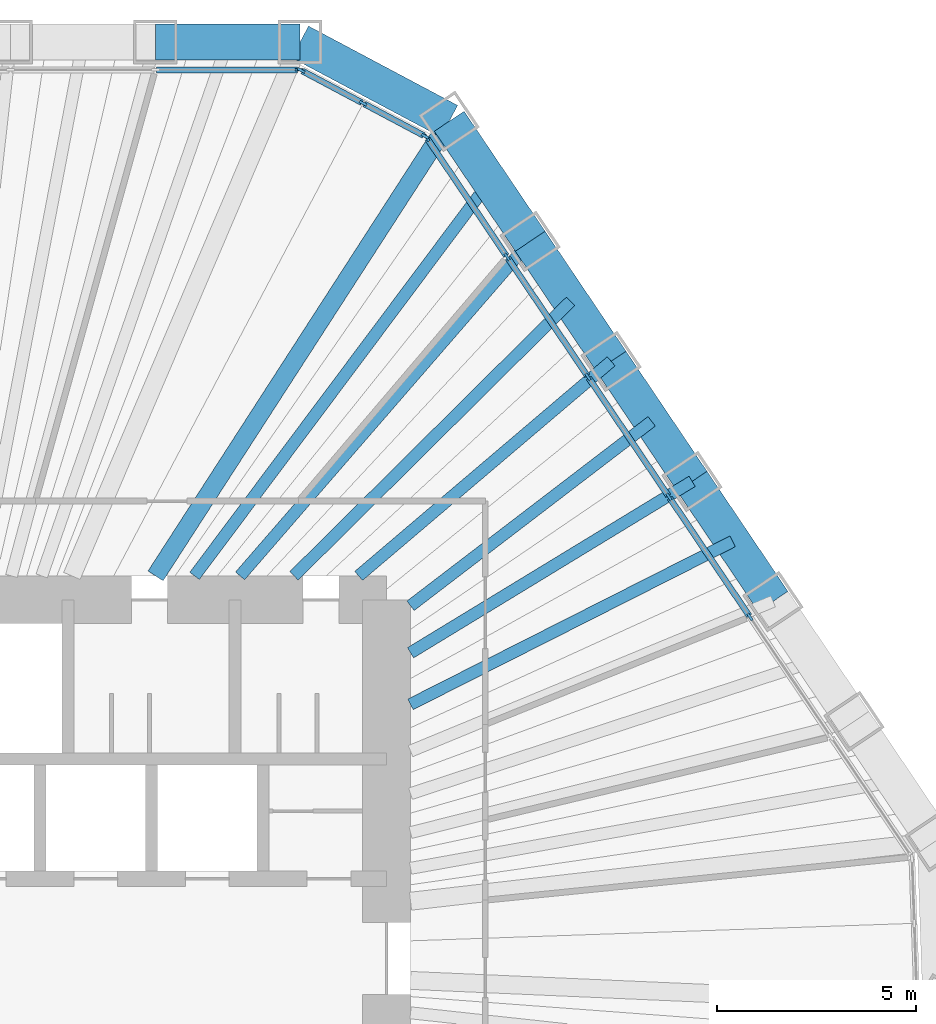
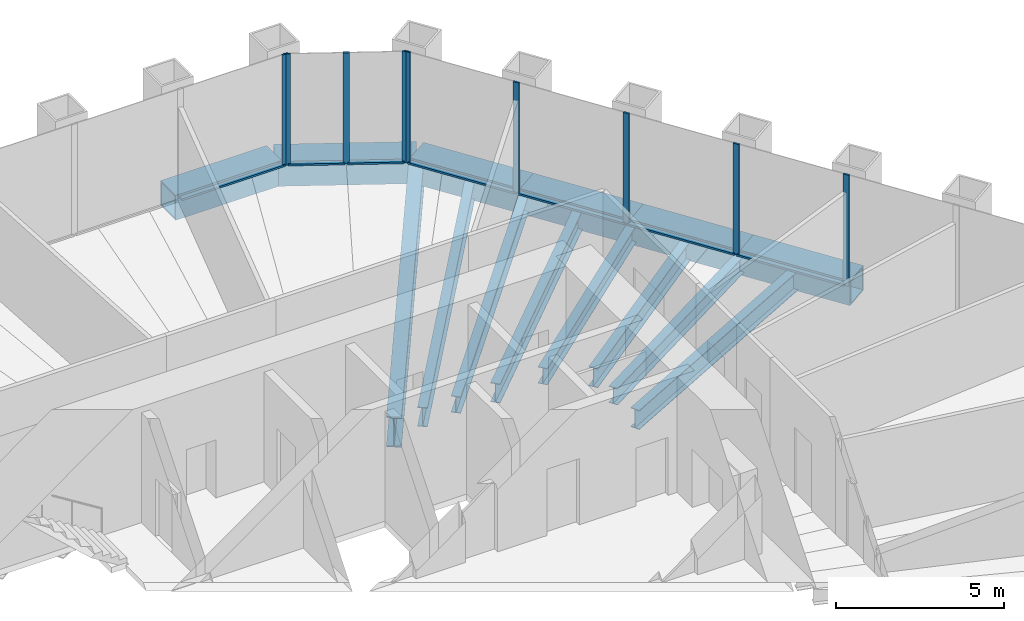
# One storey, part 7 of 13: 16 members, 14 beams, 3 elements without a shape of their own.
"""IFC4 building model written with IfcOpenShell, lengths in metres."""

from ifc_helpers import new_model, si_unit, direction, frame, origin, origin_2d, place, context, subcontext, project, spatial, rectangle, hollow_rectangle, i_section, extrude, material, material_profile, profile_set, type_object, element, aggregate, save


model = new_model("IFC4")

# Units and contexts
model_context = context("Model", 3, precision=1e-05, world=origin(), true_north=direction((0.0, 1.0)))
body_context = subcontext(model_context, "Body", "Model", "MODEL_VIEW")
ifc_project = project(units=[si_unit("LENGTHUNIT", "METRE"), si_unit("AREAUNIT", "SQUARE_METRE"), si_unit("VOLUMEUNIT", "CUBIC_METRE"), si_unit("PLANEANGLEUNIT", "RADIAN"), si_unit("MASSUNIT", "GRAM", prefix="KILO")], contexts=[model_context])

# Site, building, storey
site_placement = place(None, origin())
site = spatial("IfcSite", under=ifc_project, at=site_placement, CompositionType="ELEMENT")
building_placement = place(site_placement, origin())
building = spatial("IfcBuilding", under=site, at=building_placement, Name="Qingtian Harvest Tower", CompositionType="ELEMENT")
storey_placement = place(building_placement, frame((0.0, 0.0, 205.60009765625)))
storey = spatial("IfcBuildingStorey", under=building, at=storey_placement, Name="L44", CompositionType="ELEMENT", Elevation=205.60009765625)

# Beams
ifc_material_1 = material(Name="Steel SM570MC", Category="steel")
ifc_material_profile_1 = material_profile(ifc_material_1, i_section(OverallWidth=0.449951171875, OverallDepth=1.10009765625, WebThickness=0.02197265625, FlangeThickness=0.044921875, at=origin_2d()), Name="H1100x450x22x45")
ifc_profile_set_1 = profile_set([ifc_material_profile_1], Name="Steel SM570MC")
beam_type_1 = type_object("IfcBeamType", Name="Corner floor beam FB8 H1100x450x22x45", PredefinedType="BEAM", material=ifc_profile_set_1)
beam_1_placement = place(storey_placement, frame((13.5712890625, 21.01025390625, -0.72021484375), z_axis=(-0.542593072822, -0.839995688873, 0.0), x_axis=(0.839995688873, -0.542593072822, 0.0)))
element("IfcBeam", 1, at=beam_1_placement, inside=storey, type_object=beam_type_1, Name="Floor beam FB8 NE0", PredefinedType="BEAM", context=body_context, shape_type="SweptSolid", body=[
    extrude(i_section(OverallWidth=0.449951171875, OverallDepth=1.10009765625, WebThickness=0.02197265625, FlangeThickness=0.044921875, at=origin_2d()), origin(), (0.0, 0.0, 1.0), 13.58349609375),
])
ifc_material_2 = material(Name="Steel SN490B", Category="steel")
ifc_material_profile_2 = material_profile(ifc_material_2, i_section(OverallWidth=0.300048828125, OverallDepth=0.60009765625, WebThickness=0.011962890625, FlangeThickness=0.02001953125, at=origin_2d()), Name="H600x300x12x20")
ifc_profile_set_2 = profile_set([ifc_material_profile_2], Name="Steel SN490B")
beam_type_2 = type_object("IfcBeamType", Name="Floor beam FB3 H600x300x12x20", PredefinedType="BEAM", material=ifc_profile_set_2)
beam_2_placement = place(storey_placement, frame((15.603271484375, 17.998046875, -0.47021484375), z_axis=(-0.655048444444, -0.755586881458, 0.0), x_axis=(0.755586881458, -0.655048444444, 0.0)))
element("IfcBeam", 2, at=beam_2_placement, inside=storey, type_object=beam_type_2, Name="Floor beam FB3 NE1", PredefinedType="BEAM", context=body_context, shape_type="SweptSolid", body=[
    extrude(i_section(OverallWidth=0.300048828125, OverallDepth=0.60009765625, WebThickness=0.011962890625, FlangeThickness=0.02001953125, at=origin_2d()), origin(), (0.0, 0.0, 1.0), 11.114501953125),
])
beam_3_placement = place(storey_placement, frame((17.635009765625, 14.985595703125, -0.47021484375), z_axis=(-0.762028398305, -0.647543604846, 0.0), x_axis=(0.647543604846, -0.762028398305, 0.0)))
element("IfcBeam", 3, at=beam_3_placement, inside=storey, type_object=beam_type_2, Name="Floor beam FB3 NE2", PredefinedType="BEAM", context=body_context, shape_type="SweptSolid", body=[
    extrude(i_section(OverallWidth=0.300048828125, OverallDepth=0.60009765625, WebThickness=0.011962890625, FlangeThickness=0.02001953125, at=origin_2d()), origin(), (0.0, 0.0, 1.0), 8.31689453125),
])
beam_4_placement = place(storey_placement, frame((19.6669921875, 11.97314453125, -0.47021484375), z_axis=(-0.854163224424, -0.520004986554, 0.0), x_axis=(0.520004986554, -0.854163224424, 0.0)))
element("IfcBeam", 4, at=beam_4_placement, inside=storey, type_object=beam_type_2, Name="Floor beam FB3 NE3", PredefinedType="BEAM", context=body_context, shape_type="SweptSolid", body=[
    extrude(i_section(OverallWidth=0.300048828125, OverallDepth=0.60009765625, WebThickness=0.011962890625, FlangeThickness=0.02001953125, at=origin_2d()), origin(), (0.0, 0.0, 1.0), 8.2734375),
])
ifc_material_3 = material(Name="Steel SN490B", Category="steel")
ifc_material_profile_3 = material_profile(ifc_material_3, i_section(OverallWidth=0.300048828125, OverallDepth=0.699951171875, WebThickness=0.012939453125, FlangeThickness=0.02392578125, at=origin_2d()), Name="H700x300x13x24")
ifc_profile_set_3 = profile_set([ifc_material_profile_3], Name="Steel SN490B")
beam_type_3 = type_object("IfcBeamType", Name="Floor joist J2 H700x300x13x24", PredefinedType="JOIST", material=ifc_profile_set_3)
beam_5_placement = place(storey_placement, frame((14.58740234375, 19.504150390625, -0.52001953125), z_axis=(-0.598935081494, -0.800797582511, 0.0), x_axis=(0.800797582511, -0.598935081494, 0.0)))
element("IfcBeam", 5, at=beam_5_placement, inside=storey, type_object=beam_type_3, Name="Floor joist J2 NE0", PredefinedType="JOIST", context=body_context, shape_type="SweptSolid", body=[
    extrude(i_section(OverallWidth=0.300048828125, OverallDepth=0.699951171875, WebThickness=0.012939453125, FlangeThickness=0.02392578125, at=origin_2d()), origin(), (0.0, 0.0, 1.0), 12.36767578125),
])
beam_6_placement = place(storey_placement, frame((16.619140625, 16.49169921875, -0.52001953125), z_axis=(-0.709833839663, -0.704369164622, 0.0), x_axis=(0.704369164622, -0.709833839663, 0.0)))
element("IfcBeam", 6, at=beam_6_placement, inside=storey, type_object=beam_type_3, Name="Floor joist J2 NE1", PredefinedType="JOIST", context=body_context, shape_type="SweptSolid", body=[
    extrude(i_section(OverallWidth=0.300048828125, OverallDepth=0.699951171875, WebThickness=0.012939453125, FlangeThickness=0.02392578125, at=origin_2d()), origin(), (0.0, 0.0, 1.0), 9.7841796875),
])
beam_7_placement = place(storey_placement, frame((18.651123046875, 13.4794921875, -0.52001953125), z_axis=(-0.794222288871, -0.607627316585, 0.0), x_axis=(0.607627316585, -0.794222288871, 0.0)))
element("IfcBeam", 7, at=beam_7_placement, inside=storey, type_object=beam_type_3, Name="Floor joist J2 NE2", PredefinedType="JOIST", context=body_context, shape_type="SweptSolid", body=[
    extrude(i_section(OverallWidth=0.300048828125, OverallDepth=0.699951171875, WebThickness=0.012939453125, FlangeThickness=0.02392578125, at=origin_2d()), origin(), (0.0, 0.0, 1.0), 7.618896484375),
])
beam_8_placement = place(storey_placement, frame((20.682861328125, 10.467041015625, -0.52001953125), z_axis=(-0.892244443914, -0.451552712652, 0.0), x_axis=(0.451552712652, -0.892244443914, 0.0)))
element("IfcBeam", 8, at=beam_8_placement, inside=storey, type_object=beam_type_3, Name="Floor joist J2 NE3", PredefinedType="JOIST", context=body_context, shape_type="SweptSolid", body=[
    extrude(i_section(OverallWidth=0.300048828125, OverallDepth=0.699951171875, WebThickness=0.012939453125, FlangeThickness=0.02392578125, at=origin_2d()), origin(), (0.0, 0.0, 1.0), 9.058837890625),
])

# Curtain wall, member
ifc_material_4 = material(Name="Bronze-anodised aluminium curtain wall", Category="aluminium")
curtain_wall_type = type_object("IfcCurtainWallType", Name="Curtain wall CW4 office", PredefinedType="USERDEFINED", material=ifc_material_4)
curtain_wall_1_placement = place(storey_placement, origin())
curtain_wall_1 = element("IfcCurtainWall", 9, at=curtain_wall_1_placement, inside=storey, type_object=curtain_wall_type, Name="Curtain wall CW4 L44 N0-5", ObjectType="RECESSED CURTAIN WALL", PredefinedType="USERDEFINED")
ifc_material_5 = material(Name="Bronze-anodised aluminium mullion", Category="aluminium")
ifc_material_profile_4 = material_profile(ifc_material_5, rectangle(XDim=0.06494140625, YDim=0.199951171875, at=origin_2d()), Name="AL 65x200")
ifc_profile_set_4 = profile_set([ifc_material_profile_4], Name="Bronze-anodised aluminium mullion")
member_type_1 = type_object("IfcMemberType", Name="Mullion CWM 65x200", PredefinedType="MULLION", material=ifc_profile_set_4)
member_1_placement = place(storey_placement, frame((9.796875, 22.300048828125, 0.0), z_axis=(0.0, 0.0, 1.0), x_axis=(0.0, 1.0, 0.0)))
member_1 = element("IfcMember", 10, at=member_1_placement, type_object=member_type_1, Name="CW4 mullion 7", PredefinedType="MULLION", context=body_context, shape_type="SweptSolid", body=[
    extrude(rectangle(XDim=0.06494140625, YDim=0.199951171875, at=origin_2d()), origin(), (0.0, 0.0, 1.0), 4.02978515625),
])

# Curtain wall, members
curtain_wall_2_placement = place(storey_placement, origin())
curtain_wall_2 = element("IfcCurtainWall", 11, at=curtain_wall_2_placement, inside=storey, type_object=curtain_wall_type, Name="Curtain wall CW4 L44 NC", ObjectType="RECESSED CURTAIN WALL", PredefinedType="USERDEFINED")
member_2_placement = place(storey_placement, frame((9.85791015625, 22.28466796875, 0.0), z_axis=(0.0, 0.0, 1.0), x_axis=(0.469471562786, 0.882947592859, 0.0)))
member_2 = element("IfcMember", 12, at=member_2_placement, type_object=member_type_1, Name="CW4 mullion 1", PredefinedType="MULLION", context=body_context, shape_type="SweptSolid", body=[
    extrude(rectangle(XDim=0.06494140625, YDim=0.199951171875, at=origin_2d()), origin(), (0.0, 0.0, 1.0), 4.02978515625),
])
member_3_placement = place(storey_placement, frame((11.41015625, 21.45947265625, 0.0), z_axis=(0.0, 0.0, 1.0), x_axis=(0.469471562786, 0.882947592859, 0.0)))
member_3 = element("IfcMember", 13, at=member_3_placement, type_object=member_type_1, Name="CW4 mullion 2", PredefinedType="MULLION", context=body_context, shape_type="SweptSolid", body=[
    extrude(rectangle(XDim=0.06494140625, YDim=0.199951171875, at=origin_2d()), origin(), (0.0, 0.0, 1.0), 4.02978515625),
])
member_4_placement = place(storey_placement, frame((12.96240234375, 20.634033203125, 0.0), z_axis=(0.0, 0.0, 1.0), x_axis=(0.469471562786, 0.882947592859, 0.0)))
member_4 = element("IfcMember", 14, at=member_4_placement, type_object=member_type_1, Name="CW4 mullion 3", PredefinedType="MULLION", context=body_context, shape_type="SweptSolid", body=[
    extrude(rectangle(XDim=0.06494140625, YDim=0.199951171875, at=origin_2d()), origin(), (0.0, 0.0, 1.0), 4.02978515625),
])

curtain_wall_3_placement = place(storey_placement, origin())
curtain_wall_3 = element("IfcCurtainWall", 15, at=curtain_wall_3_placement, inside=storey, type_object=curtain_wall_type, Name="Curtain wall CW4 L44 NE0-5", ObjectType="RECESSED CURTAIN WALL", PredefinedType="USERDEFINED")
member_5_placement = place(storey_placement, frame((13.00927734375, 20.592041015625, 0.0), z_axis=(0.0, 0.0, 1.0), x_axis=(0.829037572555, 0.559192903471, 0.0)))
member_5 = element("IfcMember", 16, at=member_5_placement, type_object=member_type_1, Name="CW4 mullion 1", PredefinedType="MULLION", context=body_context, shape_type="SweptSolid", body=[
    extrude(rectangle(XDim=0.06494140625, YDim=0.199951171875, at=origin_2d()), origin(), (0.0, 0.0, 1.0), 4.02978515625),
])
member_6_placement = place(storey_placement, frame((15.02294921875, 17.6064453125, 0.0), z_axis=(0.0, 0.0, 1.0), x_axis=(0.829037572555, 0.559192903471, 0.0)))
member_6 = element("IfcMember", 17, at=member_6_placement, type_object=member_type_1, Name="CW4 mullion 2", PredefinedType="MULLION", context=body_context, shape_type="SweptSolid", body=[
    extrude(rectangle(XDim=0.06494140625, YDim=0.199951171875, at=origin_2d()), origin(), (0.0, 0.0, 1.0), 4.02978515625),
])
member_7_placement = place(storey_placement, frame((17.0546875, 14.59423828125, 0.0), z_axis=(0.0, 0.0, 1.0), x_axis=(0.829037572555, 0.559192903471, 0.0)))
member_7 = element("IfcMember", 18, at=member_7_placement, type_object=member_type_1, Name="CW4 mullion 3", PredefinedType="MULLION", context=body_context, shape_type="SweptSolid", body=[
    extrude(rectangle(XDim=0.06494140625, YDim=0.199951171875, at=origin_2d()), origin(), (0.0, 0.0, 1.0), 4.02978515625),
])
member_8_placement = place(storey_placement, frame((19.086669921875, 11.581787109375, 0.0), z_axis=(0.0, 0.0, 1.0), x_axis=(0.829037572555, 0.559192903471, 0.0)))
member_8 = element("IfcMember", 19, at=member_8_placement, type_object=member_type_1, Name="CW4 mullion 4", PredefinedType="MULLION", context=body_context, shape_type="SweptSolid", body=[
    extrude(rectangle(XDim=0.06494140625, YDim=0.199951171875, at=origin_2d()), origin(), (0.0, 0.0, 1.0), 4.02978515625),
])
member_9_placement = place(storey_placement, frame((21.118408203125, 8.569580078125, 0.0), z_axis=(0.0, 0.0, 1.0), x_axis=(0.829037572555, 0.559192903471, 0.0)))
member_9 = element("IfcMember", 20, at=member_9_placement, type_object=member_type_1, Name="CW4 mullion 5", PredefinedType="MULLION", context=body_context, shape_type="SweptSolid", body=[
    extrude(rectangle(XDim=0.06494140625, YDim=0.199951171875, at=origin_2d()), origin(), (0.0, 0.0, 1.0), 4.02978515625),
])

# Beams
ifc_material_6 = material(Name="Steel SM570MC", Category="steel")
ifc_material_profile_5 = material_profile(ifc_material_6, hollow_rectangle(XDim=0.89990234375, YDim=0.89990234375, WallThickness=0.050048828125, at=origin_2d()), Name="BOX900x900x50")
ifc_profile_set_5 = profile_set([ifc_material_profile_5], Name="Steel SM570MC")
beam_type_4 = type_object("IfcBeamType", Name="Transition spandrel SB6 BOX900x900x50", PredefinedType="SPANDREL", material=ifc_profile_set_5)
beam_9_placement = place(storey_placement, frame((6.19580078125, 23.0, -0.4501953125), z_axis=(1.0, 0.0, 0.0), x_axis=(0.0, 1.0, 0.0)))
element("IfcBeam", 21, at=beam_9_placement, inside=storey, type_object=beam_type_4, Name="Spandrel SB6 N5", PredefinedType="SPANDREL", context=body_context, shape_type="SweptSolid", body=[
    extrude(hollow_rectangle(XDim=0.89990234375, YDim=0.89990234375, WallThickness=0.050048828125, at=origin_2d()), origin(), (0.0, 0.0, 1.0), 3.633544921875),
])
beam_10_placement = place(storey_placement, frame((9.829345703125, 23.0, -0.4501953125), z_axis=(0.882935902835, -0.469493547863, 0.0), x_axis=(0.469493547863, 0.882935902835, 0.0)))
element("IfcBeam", 22, at=beam_10_placement, inside=storey, type_object=beam_type_4, Name="Spandrel SB6 NC", PredefinedType="SPANDREL", context=body_context, shape_type="SweptSolid", body=[
    extrude(hollow_rectangle(XDim=0.89990234375, YDim=0.89990234375, WallThickness=0.050048828125, at=origin_2d()), origin(), (0.0, 0.0, 1.0), 4.238037109375),
])
for number, where, z_axis, x_axis, name in (
    (23, (13.5712890625, 21.01025390625, -0.4501953125), (0.559235108412, -0.829009103399, 0.0), (0.829009103399, 0.559235108412, 0.0), "Spandrel SB6 NE0"),
    (24, (15.603271484375, 17.998046875, -0.4501953125), (0.55915777886, -0.829061263321, 0.0), (0.829061263321, 0.55915777886, 0.0), "Spandrel SB6 NE1"),
):
    element("IfcBeam", number, at=place(storey_placement, frame(where, z_axis=z_axis, x_axis=x_axis)), inside=storey, type_object=beam_type_4, Name=name, PredefinedType="SPANDREL", context=body_context, shape_type="SweptSolid", body=[
        extrude(hollow_rectangle(XDim=0.89990234375, YDim=0.89990234375, WallThickness=0.050048828125, at=origin_2d()), origin(), (0.0, 0.0, 1.0), 3.633544921875),
    ])
beam_11_placement = place(storey_placement, frame((17.635009765625, 14.985595703125, -0.4501953125), z_axis=(0.55920395902, -0.829030115385, 0.0), x_axis=(0.829030115385, 0.55920395902, 0.0)))
element("IfcBeam", 25, at=beam_11_placement, inside=storey, type_object=beam_type_4, Name="Spandrel SB6 NE2", PredefinedType="SPANDREL", context=body_context, shape_type="SweptSolid", body=[
    extrude(hollow_rectangle(XDim=0.89990234375, YDim=0.89990234375, WallThickness=0.050048828125, at=origin_2d()), origin(), (0.0, 0.0, 1.0), 3.6337890625),
])
beam_12_placement = place(storey_placement, frame((19.6669921875, 11.97314453125, -0.4501953125), z_axis=(0.559188928021, -0.829040254016, 0.0), x_axis=(0.829040254016, 0.559188928021, 0.0)))
element("IfcBeam", 26, at=beam_12_placement, inside=storey, type_object=beam_type_4, Name="Spandrel SB6 NE3", PredefinedType="SPANDREL", context=body_context, shape_type="SweptSolid", body=[
    extrude(hollow_rectangle(XDim=0.89990234375, YDim=0.89990234375, WallThickness=0.050048828125, at=origin_2d()), origin(), (0.0, 0.0, 1.0), 3.63330078125),
])

# Member
ifc_material_7 = material(Name="Bronze-anodised aluminium transom", Category="aluminium")
ifc_material_profile_6 = material_profile(ifc_material_7, rectangle(XDim=0.14990234375, YDim=0.06494140625, at=origin_2d()), Name="AL 65x150")
ifc_profile_set_6 = profile_set([ifc_material_profile_6], Name="Bronze-anodised aluminium transom")
member_type_2 = type_object("IfcMemberType", Name="Transom CWT 65x150", PredefinedType="USERDEFINED", material=ifc_profile_set_6)
member_10_placement = place(storey_placement, frame((6.228271484375, 22.300048828125, 0.032470703125), z_axis=(1.0, 0.0, 0.0), x_axis=(0.0, 1.0, 0.0)))
member_10 = element("IfcMember", 27, at=member_10_placement, type_object=member_type_2, Name="CW4 transom 6.1", ObjectType="TRANSOM", PredefinedType="USERDEFINED", context=body_context, shape_type="SweptSolid", body=[
    extrude(rectangle(XDim=0.14990234375, YDim=0.06494140625, at=origin_2d()), origin(), (0.0, 0.0, 1.0), 3.5361328125),
])

aggregate(curtain_wall_1, [member_1, member_10])

member_11_placement = place(storey_placement, frame((9.88671875, 22.26953125, 0.032470703125), z_axis=(0.882927080927, -0.469510138086, 0.0), x_axis=(0.469510138086, 0.882927080927, 0.0)))
member_11 = element("IfcMember", 28, at=member_11_placement, type_object=member_type_2, Name="CW4 transom 1.1", ObjectType="TRANSOM", PredefinedType="USERDEFINED", context=body_context, shape_type="SweptSolid", body=[
    extrude(rectangle(XDim=0.14990234375, YDim=0.06494140625, at=origin_2d()), origin(), (0.0, 0.0, 1.0), 1.693115234375),
])

member_12_placement = place(storey_placement, frame((11.43896484375, 21.444091796875, 0.032470703125), z_axis=(0.882955074232, -0.469457492098, 0.0), x_axis=(0.469457492098, 0.882955074232, 0.0)))
member_12 = element("IfcMember", 29, at=member_12_placement, type_object=member_type_2, Name="CW4 transom 2.1", ObjectType="TRANSOM", PredefinedType="USERDEFINED", context=body_context, shape_type="SweptSolid", body=[
    extrude(rectangle(XDim=0.14990234375, YDim=0.06494140625, at=origin_2d()), origin(), (0.0, 0.0, 1.0), 1.69287109375),
])

aggregate(curtain_wall_2, [member_2, member_3, member_4, member_11, member_12])

member_13_placement = place(storey_placement, frame((13.02734375, 20.56494140625, 0.032470703125), z_axis=(0.559201266891, -0.829031931295, 0.0), x_axis=(0.829031931295, 0.559201266891, 0.0)))
member_13 = element("IfcMember", 30, at=member_13_placement, type_object=member_type_2, Name="CW4 transom 1.1", ObjectType="TRANSOM", PredefinedType="USERDEFINED", context=body_context, shape_type="SweptSolid", body=[
    extrude(rectangle(XDim=0.14990234375, YDim=0.06494140625, at=origin_2d()), origin(), (0.0, 0.0, 1.0), 3.535888671875),
])

member_14_placement = place(storey_placement, frame((15.041015625, 17.57958984375, 0.032470703125), z_axis=(0.559207281901, -0.829027874, 0.0), x_axis=(0.829027874, 0.559207281901, 0.0)))
member_14 = element("IfcMember", 31, at=member_14_placement, type_object=member_type_2, Name="CW4 transom 2.1", ObjectType="TRANSOM", PredefinedType="USERDEFINED", context=body_context, shape_type="SweptSolid", body=[
    extrude(rectangle(XDim=0.14990234375, YDim=0.06494140625, at=origin_2d()), origin(), (0.0, 0.0, 1.0), 3.568603515625),
])

member_15_placement = place(storey_placement, frame((17.072998046875, 14.567138671875, 0.032470703125), z_axis=(0.559191977147, -0.829038197368, 0.0), x_axis=(0.829038197368, 0.559191977147, 0.0)))
member_15 = element("IfcMember", 32, at=member_15_placement, type_object=member_type_2, Name="CW4 transom 3.1", ObjectType="TRANSOM", PredefinedType="USERDEFINED", context=body_context, shape_type="SweptSolid", body=[
    extrude(rectangle(XDim=0.14990234375, YDim=0.06494140625, at=origin_2d()), origin(), (0.0, 0.0, 1.0), 3.568359375),
])

member_16_placement = place(storey_placement, frame((19.104736328125, 11.554931640625, 0.032470703125), z_axis=(0.559207281901, -0.829027874, 0.0), x_axis=(0.829027874, 0.559207281901, 0.0)))
member_16 = element("IfcMember", 33, at=member_16_placement, type_object=member_type_2, Name="CW4 transom 4.1", ObjectType="TRANSOM", PredefinedType="USERDEFINED", context=body_context, shape_type="SweptSolid", body=[
    extrude(rectangle(XDim=0.14990234375, YDim=0.06494140625, at=origin_2d()), origin(), (0.0, 0.0, 1.0), 3.568603515625),
])

aggregate(curtain_wall_3, [member_5, member_6, member_7, member_8, member_9, member_13, member_14, member_15, member_16])

save(model, "model.ifc")
